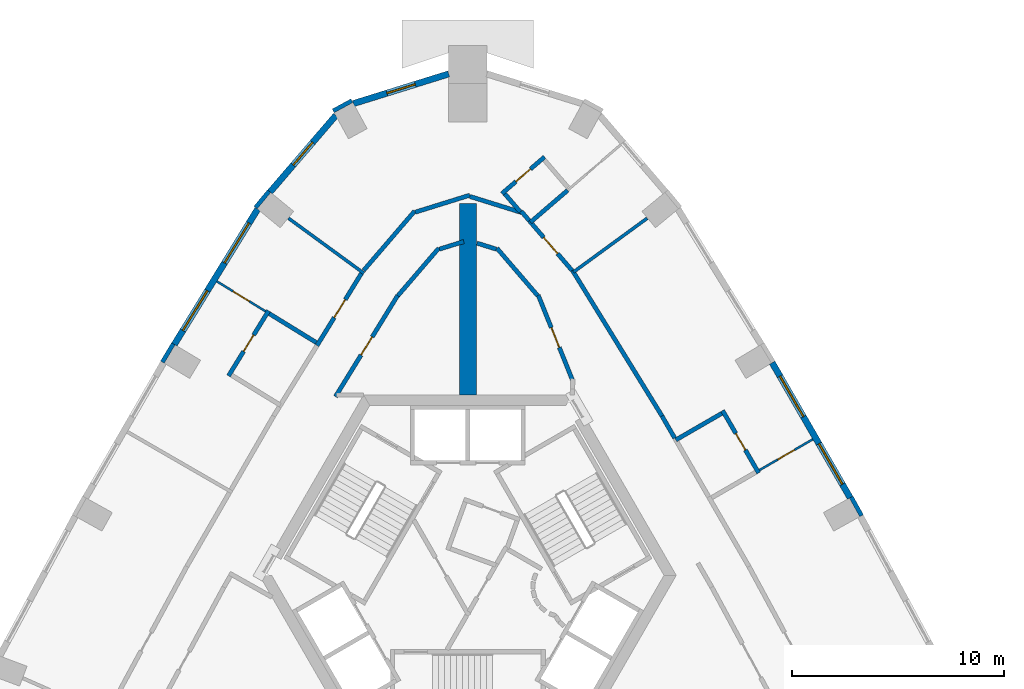
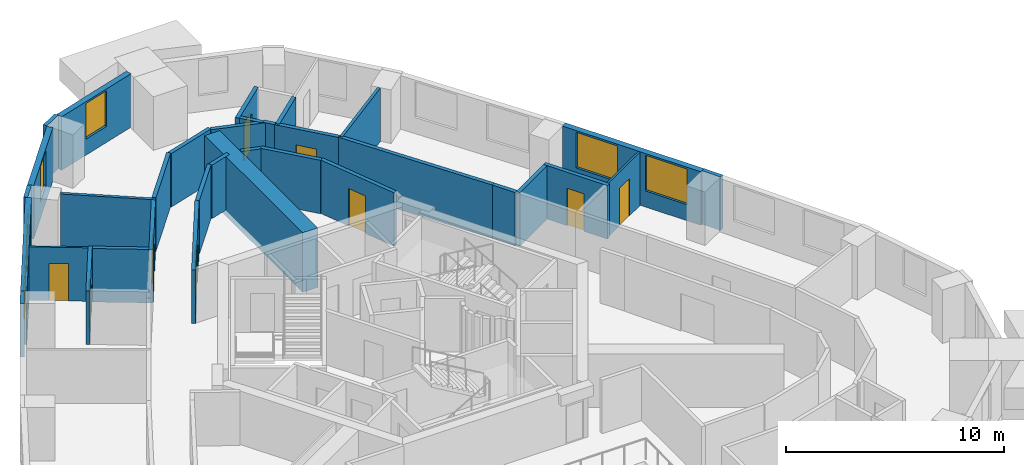
# One storey, part 7 of 10: 34 walls, 9 doors, 6 windows, 15 openings.
"""IFC4 building model written with IfcOpenShell, lengths in metres."""

from ifc_helpers import new_model, si_unit, direction, frame, frame_2d, origin, place, context, subcontext, project, spatial, rectangle, extrude, material, layer, layer_set, type_object, element, fill, save


model = new_model("IFC4")

# Units and contexts
model_context = context("Model", 3, precision=1e-05, world=origin(), true_north=direction((0.0, 1.0)))
body_context = subcontext(model_context, "Body", "Model", "MODEL_VIEW")
ifc_project = project(units=[si_unit("LENGTHUNIT", "METRE"), si_unit("AREAUNIT", "SQUARE_METRE"), si_unit("VOLUMEUNIT", "CUBIC_METRE"), si_unit("PLANEANGLEUNIT", "RADIAN"), si_unit("MASSUNIT", "GRAM", prefix="KILO")], contexts=[model_context])

# Site, building, storey
site_placement = place(None, origin())
site = spatial("IfcSite", under=ifc_project, at=site_placement, CompositionType="ELEMENT")
building_placement = place(site_placement, origin())
building = spatial("IfcBuilding", under=site, at=building_placement, Name="Entoto Arch Interchange Tower", CompositionType="ELEMENT")
storey_placement = place(building_placement, frame((0.0, 0.0, 322.39990234375)))
storey = spatial("IfcBuildingStorey", under=building, at=storey_placement, Name="L76", CompositionType="ELEMENT", Elevation=322.39990234375)

# Wall
ifc_material_1 = material(Name="Concrete C40/50", Category="concrete")
ifc_layer_1 = layer(ifc_material_1, 0.800048828125)
ifc_layer_set_1 = layer_set([ifc_layer_1], Name="Concrete C40/50")
wall_type_1 = type_object("IfcWallType", Name="Buttress wall 800 C40/50", PredefinedType="SHEAR", material=ifc_layer_set_1)
wall_1_placement = place(storey_placement, frame((0.0, 11.0, -0.33984375), z_axis=(0.0, 0.0, 1.0), x_axis=(0.0, 1.0, 0.0)))
element("IfcWall", 1, at=wall_1_placement, inside=storey, type_object=wall_type_1, Name="Buttress wall N L76", PredefinedType="SHEAR", context=body_context, shape_type="SweptSolid", body=[
    extrude(rectangle(XDim=9.0, YDim=0.800048828125, at=frame_2d((4.5, 0.0))), origin(), (0.0, 0.0, 1.0), 3.33984375),
])

# Wall, opening, door
ifc_material_2 = material(Name="Gypsum board partition on steel studs", Category="steel")
ifc_layer_2 = layer(ifc_material_2, 0.10009765625)
ifc_layer_set_2 = layer_set([ifc_layer_2], Name="Gypsum board partition on steel studs")
wall_type_2 = type_object("IfcWallType", Name="PARTITION 100", PredefinedType="PARTITIONING", material=ifc_layer_set_2)
wall_2_placement = place(storey_placement, frame((13.73291015625, 7.4560546875, 0.0), z_axis=(0.0, 0.0, 1.0), x_axis=(0.865990674793, 0.500060147554, 0.0)))
wall_2 = element("IfcWall", 2, at=wall_2_placement, inside=storey, type_object=wall_type_2, Name="wall:L76:p087", PredefinedType="PARTITIONING", context=body_context, shape_type="SweptSolid", body=[
    extrude(rectangle(XDim=2.899658203125, YDim=0.10009765625, at=frame_2d((1.44970703125, 0.0))), origin(), (0.0, 0.0, 1.0), 3.0),
])
opening_1_placement = place(wall_2_placement, frame((1.0, 0.0, 0.0)))
opening_1 = element("IfcOpeningElement", 3, at=opening_1_placement, cuts=wall_2, Name="Opening L76-D05", PredefinedType="OPENING", context=body_context, shape_type="SweptSolid", body=[
    extrude(rectangle(XDim=0.89990234375, YDim=2.10009765625, at=frame_2d((0.449951171875, 1.050048828125))), frame((0.0, 0.06005859375, 0.0), z_axis=(0.0, -1.0, 0.0), x_axis=(1.0, 0.0, 0.0)), (0.0, 0.0, 1.0), 0.1201171875),
])
ifc_material_3 = material(Name="Timber door leaf in Steel S235 frame", Category="steel")
door_type_1 = type_object("IfcDoorType", Name="DOOR DS-09 900x2100", OperationType="SINGLE_SWING_LEFT", PredefinedType="DOOR", material=ifc_material_3)
door_1_placement = place(opening_1_placement, origin())
door_1 = element("IfcDoor", 4, at=door_1_placement, inside=storey, type_object=door_type_1, Name="door:L76:05", OperationType="SINGLE_SWING_LEFT", OverallHeight=2.10009765625, OverallWidth=0.89990234375, PredefinedType="DOOR", context=body_context, shape_type="SweptSolid", body=[
    extrude(rectangle(XDim=0.89990234375, YDim=2.10009765625, at=frame_2d((0.449951171875, 1.050048828125))), frame((0.0, 0.02490234375, 0.0), z_axis=(0.0, -1.0, 0.0), x_axis=(1.0, 0.0, 0.0)), (0.0, 0.0, 1.0), 0.050048828125),
])
fill(opening_1, door_1)

wall_3_placement = place(storey_placement, frame((-9.51904296875, 14.928955078125, 0.0), z_axis=(0.0, 0.0, 1.0), x_axis=(-0.851621054013, 0.524157972715, 0.0)))
wall_3 = element("IfcWall", 5, at=wall_3_placement, inside=storey, type_object=wall_type_2, Name="wall:L76:p098", PredefinedType="PARTITIONING", context=body_context, shape_type="SweptSolid", body=[
    extrude(rectangle(XDim=2.69970703125, YDim=0.10009765625, at=frame_2d((1.349853515625, 0.0))), origin(), (0.0, 0.0, 1.0), 3.0),
])
opening_2_placement = place(wall_3_placement, frame((0.89990234375, 0.0, 0.0)))
opening_2 = element("IfcOpeningElement", 6, at=opening_2_placement, cuts=wall_3, Name="Opening L76-D11", PredefinedType="OPENING", context=body_context, shape_type="SweptSolid", body=[
    extrude(rectangle(XDim=0.89990234375, YDim=2.10009765625, at=frame_2d((0.449951171875, 1.050048828125))), frame((0.0, 0.06005859375, 0.0), z_axis=(0.0, -1.0, 0.0), x_axis=(1.0, 0.0, 0.0)), (0.0, 0.0, 1.0), 0.1201171875),
])
door_2_placement = place(opening_2_placement, origin())
door_2 = element("IfcDoor", 7, at=door_2_placement, inside=storey, type_object=door_type_1, Name="door:L76:11", OperationType="SINGLE_SWING_RIGHT", OverallHeight=2.10009765625, OverallWidth=0.89990234375, PredefinedType="DOOR", context=body_context, shape_type="SweptSolid", body=[
    extrude(rectangle(XDim=0.89990234375, YDim=2.10009765625, at=frame_2d((0.449951171875, 1.050048828125))), frame((0.0, 0.02490234375, 0.0), z_axis=(0.0, -1.0, 0.0), x_axis=(1.0, 0.0, 0.0)), (0.0, 0.0, 1.0), 0.050048828125),
])
fill(opening_2, door_2)

# Walls
ifc_layer_3 = layer(ifc_material_2, 0.14990234375)
ifc_layer_set_3 = layer_set([ifc_layer_3], Name="Gypsum board partition on steel studs")
wall_type_3 = type_object("IfcWallType", Name="PARTITION 150", PredefinedType="PARTITIONING", material=ifc_layer_set_3)
wall_4_placement = place(storey_placement, frame((4.97412109375, 16.781982421875, 0.0), z_axis=(0.0, 0.0, 1.0), x_axis=(0.807621211013, 0.589701602102, 0.0)))
element("IfcWall", 8, at=wall_4_placement, inside=storey, type_object=wall_type_3, Name="wall:L76:p091", PredefinedType="PARTITIONING", context=body_context, shape_type="SweptSolid", body=[
    extrude(rectangle(XDim=4.29541015625, YDim=0.14990234375, at=frame_2d((2.147705078125, 0.0))), origin(), (0.0, 0.0, 1.0), 3.0),
])
wall_5_placement = place(storey_placement, frame((-4.89306640625, 16.722900390625, 0.0), z_axis=(0.0, 0.0, 1.0), x_axis=(-0.807632235509, 0.589686503294, 0.0)))
element("IfcWall", 9, at=wall_5_placement, inside=storey, type_object=wall_type_3, Name="wall:L76:p097", PredefinedType="PARTITIONING", context=body_context, shape_type="SweptSolid", body=[
    extrude(rectangle(XDim=4.3955078125, YDim=0.14990234375, at=frame_2d((2.19775390625, 0.0))), origin(), (0.0, 0.0, 1.0), 3.0),
])

# Wall, opening, door
ifc_layer_4 = layer(ifc_material_2, 0.199951171875)
ifc_layer_set_4 = layer_set([ifc_layer_4], Name="Gypsum board partition on steel studs")
wall_type_4 = type_object("IfcWallType", Name="PARTITION 200", PredefinedType="PARTITIONING", material=ifc_layer_set_4)
wall_6_placement = place(storey_placement, frame((4.923095703125, 11.70703125, 0.0), z_axis=(0.0, 0.0, 1.0), x_axis=(-0.374122865642, 0.927379146522, 0.0)))
wall_6 = element("IfcWall", 10, at=wall_6_placement, inside=storey, type_object=wall_type_4, Name="wall:L76:p007", PredefinedType="PARTITIONING", context=body_context, shape_type="SweptSolid", body=[
    extrude(rectangle(XDim=4.2958984375, YDim=0.199951171875, at=frame_2d((2.14794921875, 0.0))), origin(), (0.0, 0.0, 1.0), 3.0),
])
opening_3_placement = place(wall_6_placement, frame((1.64794921875, 0.0, 0.0)))
opening_3 = element("IfcOpeningElement", 11, at=opening_3_placement, cuts=wall_6, Name="Opening L76-D20", PredefinedType="OPENING", context=body_context, shape_type="SweptSolid", body=[
    extrude(rectangle(XDim=1.0, YDim=2.10009765625, at=frame_2d((0.5, 1.050048828125))), frame((0.0, 0.10986328125, 0.0), z_axis=(0.0, -1.0, 0.0), x_axis=(1.0, 0.0, 0.0)), (0.0, 0.0, 1.0), 0.219970703125),
])
door_type_2 = type_object("IfcDoorType", Name="DOOR DS-10 1000x2100", OperationType="SINGLE_SWING_LEFT", PredefinedType="DOOR", material=ifc_material_3)
door_3_placement = place(opening_3_placement, origin())
door_3 = element("IfcDoor", 12, at=door_3_placement, inside=storey, type_object=door_type_2, Name="door:L76:20", OperationType="SINGLE_SWING_LEFT", OverallHeight=2.10009765625, OverallWidth=1.0, PredefinedType="DOOR", context=body_context, shape_type="SweptSolid", body=[
    extrude(rectangle(XDim=1.0, YDim=2.10009765625, at=frame_2d((0.5, 1.050048828125))), frame((0.0, 0.02490234375, 0.0), z_axis=(0.0, -1.0, 0.0), x_axis=(1.0, 0.0, 0.0)), (0.0, 0.0, 1.0), 0.050048828125),
])
fill(opening_3, door_3)

# Walls
wall_7_placement = place(storey_placement, frame((3.2890625, 15.674072265625, 0.0), z_axis=(0.0, 0.0, 1.0), x_axis=(-0.651848676423, 0.758349064116, 0.0)))
element("IfcWall", 13, at=wall_7_placement, inside=storey, type_object=wall_type_4, Name="wall:L76:p008", PredefinedType="PARTITIONING", context=body_context, shape_type="SweptSolid", body=[
    extrude(rectangle(XDim=2.94580078125, YDim=0.199951171875, at=frame_2d((1.472900390625, 0.0))), origin(), (0.0, 0.0, 1.0), 3.0),
])
wall_8_placement = place(storey_placement, frame((1.339111328125, 17.862060546875, 0.0), z_axis=(0.0, 0.0, 1.0), x_axis=(-0.954826063502, 0.297165254457, 0.0)))
element("IfcWall", 14, at=wall_8_placement, inside=storey, type_object=wall_type_4, Name="wall:L76:p009", PredefinedType="PARTITIONING", context=body_context, shape_type="SweptSolid", body=[
    extrude(rectangle(XDim=0.9521484375, YDim=0.199951171875, at=frame_2d((0.47607421875, 0.0))), origin(), (0.0, 0.0, 1.0), 3.0),
])
wall_9_placement = place(storey_placement, frame((-0.18896484375, 18.219970703125, 0.0), z_axis=(0.0, 0.0, 1.0), x_axis=(-0.954836332451, -0.297132257137, 0.0)))
element("IfcWall", 15, at=wall_9_placement, inside=storey, type_object=wall_type_4, Name="wall:L76:p010", PredefinedType="PARTITIONING", context=body_context, shape_type="SweptSolid", body=[
    extrude(rectangle(XDim=1.20458984375, YDim=0.199951171875, at=frame_2d((0.602294921875, 0.0))), origin(), (0.0, 0.0, 1.0), 3.0),
])
wall_10_placement = place(storey_placement, frame((-1.368896484375, 17.907958984375, 0.0), z_axis=(0.0, 0.0, 1.0), x_axis=(-0.651848676423, -0.758349064116, 0.0)))
element("IfcWall", 16, at=wall_10_placement, inside=storey, type_object=wall_type_4, Name="wall:L76:p011", PredefinedType="PARTITIONING", context=body_context, shape_type="SweptSolid", body=[
    extrude(rectangle(XDim=2.94580078125, YDim=0.199951171875, at=frame_2d((1.472900390625, 0.0))), origin(), (0.0, 0.0, 1.0), 3.0),
])

# Wall, opening, door
wall_11_placement = place(storey_placement, frame((-3.301025390625, 15.68408203125, 0.0), z_axis=(0.0, 0.0, 1.0), x_axis=(-0.524004979532, -0.851715199715, 0.0)))
wall_11 = element("IfcWall", 17, at=wall_11_placement, inside=storey, type_object=wall_type_4, Name="wall:L76:p012", PredefinedType="PARTITIONING", context=body_context, shape_type="SweptSolid", body=[
    extrude(rectangle(XDim=5.599365234375, YDim=0.199951171875, at=frame_2d((2.7998046875, 0.0))), origin(), (0.0, 0.0, 1.0), 3.0),
])
opening_4_placement = place(wall_11_placement, frame((2.300048828125, 0.0, 0.0)))
opening_4 = element("IfcOpeningElement", 18, at=opening_4_placement, cuts=wall_11, Name="Opening L76-D21", PredefinedType="OPENING", context=body_context, shape_type="SweptSolid", body=[
    extrude(rectangle(XDim=1.0, YDim=2.10009765625, at=frame_2d((0.5, 1.050048828125))), frame((0.0, 0.10986328125, 0.0), z_axis=(0.0, -1.0, 0.0), x_axis=(1.0, 0.0, 0.0)), (0.0, 0.0, 1.0), 0.219970703125),
])
door_4_placement = place(opening_4_placement, origin())
door_4 = element("IfcDoor", 19, at=door_4_placement, inside=storey, type_object=door_type_2, Name="door:L76:21", OperationType="SINGLE_SWING_LEFT", OverallHeight=2.10009765625, OverallWidth=1.0, PredefinedType="DOOR", context=body_context, shape_type="SweptSolid", body=[
    extrude(rectangle(XDim=1.0, YDim=2.10009765625, at=frame_2d((0.5, 1.050048828125))), frame((0.0, 0.02490234375, 0.0), z_axis=(0.0, -1.0, 0.0), x_axis=(1.0, 0.0, 0.0)), (0.0, 0.0, 1.0), 0.050048828125),
])
fill(opening_4, door_4)

# Walls
wall_12_placement = place(storey_placement, frame((4.922119140625, 16.866943359375, 0.0), z_axis=(0.0, 0.0, 1.0), x_axis=(0.523943621984, -0.851752945978, 0.0)))
element("IfcWall", 20, at=wall_12_placement, inside=storey, type_object=wall_type_4, Name="wall:L76:p037", PredefinedType="PARTITIONING", context=body_context, shape_type="SweptSolid", body=[
    extrude(rectangle(XDim=8.059814453125, YDim=0.199951171875, at=frame_2d((4.02978515625, 0.0))), origin(), (0.0, 0.0, 1.0), 3.0),
])
wall_13_placement = place(storey_placement, frame((9.14501953125, 10.001953125, 0.0), z_axis=(0.0, 0.0, 1.0), x_axis=(0.499798886082, -0.866141485827, 0.0)))
element("IfcWall", 21, at=wall_13_placement, inside=storey, type_object=wall_type_4, Name="wall:L76:p038", PredefinedType="PARTITIONING", context=body_context, shape_type="SweptSolid", body=[
    extrude(rectangle(XDim=1.1982421875, YDim=0.199951171875, at=frame_2d((0.59912109375, 0.0))), origin(), (0.0, 0.0, 1.0), 3.0),
])

# Wall, opening, door
wall_14_placement = place(storey_placement, frame((2.888916015625, 19.208984375, 0.0), z_axis=(0.0, 0.0, 1.0), x_axis=(0.651686040861, -0.758488829283, 0.0)))
wall_14 = element("IfcWall", 22, at=wall_14_placement, inside=storey, type_object=wall_type_4, Name="wall:L76:p040", PredefinedType="PARTITIONING", context=body_context, shape_type="SweptSolid", body=[
    extrude(rectangle(XDim=3.099609375, YDim=0.199951171875, at=frame_2d((1.5498046875, 0.0))), origin(), (0.0, 0.0, 1.0), 3.0),
])
opening_5_placement = place(wall_14_placement, frame((1.050048828125, 0.0, 0.0)))
opening_5 = element("IfcOpeningElement", 23, at=opening_5_placement, cuts=wall_14, Name="Opening L76-D07", PredefinedType="OPENING", context=body_context, shape_type="SweptSolid", body=[
    extrude(rectangle(XDim=1.0, YDim=2.10009765625, at=frame_2d((0.5, 1.050048828125))), frame((0.0, 0.10986328125, 0.0), z_axis=(0.0, -1.0, 0.0), x_axis=(1.0, 0.0, 0.0)), (0.0, 0.0, 1.0), 0.219970703125),
])
ifc_material_4 = material(Name="Fire-rated Steel S235 door and frame", Category="steel")
door_type_3 = type_object("IfcDoorType", Name="DOOR FD-10 1000x2100", OperationType="SINGLE_SWING_LEFT", PredefinedType="DOOR", material=ifc_material_4)
door_5_placement = place(opening_5_placement, origin())
door_5 = element("IfcDoor", 24, at=door_5_placement, inside=storey, type_object=door_type_3, Name="door:L76:07", OperationType="SINGLE_SWING_LEFT", OverallHeight=2.10009765625, OverallWidth=1.0, PredefinedType="DOOR", context=body_context, shape_type="SweptSolid", body=[
    extrude(rectangle(XDim=1.0, YDim=2.10009765625, at=frame_2d((0.5, 1.050048828125))), frame((0.0, 0.02490234375, 0.0), z_axis=(0.0, -1.0, 0.0), x_axis=(1.0, 0.0, 0.0)), (0.0, 0.0, 1.0), 0.050048828125),
])
fill(opening_5, door_5)

# Walls
wall_15_placement = place(storey_placement, frame((-4.908935546875, 16.85791015625, 0.0), z_axis=(0.0, 0.0, 1.0), x_axis=(0.651785835936, 0.758403074937, 0.0)))
element("IfcWall", 25, at=wall_15_placement, inside=storey, type_object=wall_type_4, Name="wall:L76:p041", PredefinedType="PARTITIONING", context=body_context, shape_type="SweptSolid", body=[
    extrude(rectangle(XDim=3.677490234375, YDim=0.199951171875, at=frame_2d((1.8388671875, 0.0))), origin(), (0.0, 0.0, 1.0), 3.0),
])
wall_16_placement = place(storey_placement, frame((-2.48193359375, 19.60107421875, 0.0), z_axis=(0.0, 0.0, 1.0), x_axis=(0.95482540871, 0.297167358372, 0.0)))
element("IfcWall", 26, at=wall_16_placement, inside=storey, type_object=wall_type_4, Name="wall:L76:p042", PredefinedType="PARTITIONING", context=body_context, shape_type="SweptSolid", body=[
    extrude(rectangle(XDim=2.69873046875, YDim=0.199951171875, at=frame_2d((1.349365234375, 0.0))), origin(), (0.0, 0.0, 1.0), 3.0),
])
wall_17_placement = place(storey_placement, frame((0.094970703125, 20.343994140625, 0.0), z_axis=(0.0, 0.0, 1.0), x_axis=(0.954837867825, -0.297127323158, 0.0)))
element("IfcWall", 27, at=wall_17_placement, inside=storey, type_object=wall_type_4, Name="wall:L76:p043", PredefinedType="PARTITIONING", context=body_context, shape_type="SweptSolid", body=[
    extrude(rectangle(XDim=2.604736328125, YDim=0.199951171875, at=frame_2d((1.30224609375, 0.0))), origin(), (0.0, 0.0, 1.0), 3.0),
])
wall_18_placement = place(storey_placement, frame((2.511962890625, 19.64697265625, 0.0), z_axis=(0.0, 0.0, 1.0), x_axis=(0.652320947019, -0.757942862016, 0.0)))
element("IfcWall", 28, at=wall_18_placement, inside=storey, type_object=wall_type_4, Name="wall:L76:p044", PredefinedType="PARTITIONING", context=body_context, shape_type="SweptSolid", body=[
    extrude(rectangle(XDim=0.577880859375, YDim=0.199951171875, at=frame_2d((0.2890625, 0.0))), origin(), (0.0, 0.0, 1.0), 3.0),
])

# Wall, opening, door
wall_19_placement = place(storey_placement, frame((-7.10107421875, 13.323974609375, 0.0), z_axis=(0.0, 0.0, 1.0), x_axis=(0.52395735307, 0.851744499344, 0.0)))
wall_19 = element("IfcWall", 29, at=wall_19_placement, inside=storey, type_object=wall_type_4, Name="wall:L76:p045", PredefinedType="PARTITIONING", context=body_context, shape_type="SweptSolid", body=[
    extrude(rectangle(XDim=4.08447265625, YDim=0.199951171875, at=frame_2d((2.042236328125, 0.0))), origin(), (0.0, 0.0, 1.0), 3.0),
])
opening_6_placement = place(wall_19_placement, frame((1.5419921875, 0.0, 0.0)))
opening_6 = element("IfcOpeningElement", 30, at=opening_6_placement, cuts=wall_19, Name="Opening L76-D10", PredefinedType="OPENING", context=body_context, shape_type="SweptSolid", body=[
    extrude(rectangle(XDim=1.0, YDim=2.10009765625, at=frame_2d((0.5, 1.050048828125))), frame((0.0, 0.10986328125, 0.0), z_axis=(0.0, -1.0, 0.0), x_axis=(1.0, 0.0, 0.0)), (0.0, 0.0, 1.0), 0.219970703125),
])
door_6_placement = place(opening_6_placement, origin())
door_6 = element("IfcDoor", 31, at=door_6_placement, inside=storey, type_object=door_type_3, Name="door:L76:10", OperationType="SINGLE_SWING_LEFT", OverallHeight=2.10009765625, OverallWidth=1.0, PredefinedType="DOOR", context=body_context, shape_type="SweptSolid", body=[
    extrude(rectangle(XDim=1.0, YDim=2.10009765625, at=frame_2d((0.5, 1.050048828125))), frame((0.0, 0.02490234375, 0.0), z_axis=(0.0, -1.0, 0.0), x_axis=(1.0, 0.0, 0.0)), (0.0, 0.0, 1.0), 0.050048828125),
])
fill(opening_6, door_6)

wall_20_placement = place(storey_placement, frame((13.696044921875, 7.320068359375, 0.0), z_axis=(0.0, 0.0, 1.0), x_axis=(-0.500070584245, 0.865984648116, 0.0)))
wall_20 = element("IfcWall", 32, at=wall_20_placement, inside=storey, type_object=wall_type_4, Name="wall:L76:p089", PredefinedType="PARTITIONING", context=body_context, shape_type="SweptSolid", body=[
    extrude(rectangle(XDim=3.3994140625, YDim=0.199951171875, at=frame_2d((1.69970703125, 0.0))), origin(), (0.0, 0.0, 1.0), 3.0),
])
opening_7_placement = place(wall_20_placement, frame((1.25, 0.0, 0.0)))
opening_7 = element("IfcOpeningElement", 33, at=opening_7_placement, cuts=wall_20, Name="Opening L76-D06", PredefinedType="OPENING", context=body_context, shape_type="SweptSolid", body=[
    extrude(rectangle(XDim=0.89990234375, YDim=2.10009765625, at=frame_2d((0.449951171875, 1.050048828125))), frame((0.0, 0.10986328125, 0.0), z_axis=(0.0, -1.0, 0.0), x_axis=(1.0, 0.0, 0.0)), (0.0, 0.0, 1.0), 0.219970703125),
])
door_7_placement = place(opening_7_placement, origin())
door_7 = element("IfcDoor", 34, at=door_7_placement, inside=storey, type_object=door_type_1, Name="door:L76:06", OperationType="SINGLE_SWING_LEFT", OverallHeight=2.10009765625, OverallWidth=0.89990234375, PredefinedType="DOOR", context=body_context, shape_type="SweptSolid", body=[
    extrude(rectangle(XDim=0.89990234375, YDim=2.10009765625, at=frame_2d((0.449951171875, 1.050048828125))), frame((0.0, 0.02490234375, 0.0), z_axis=(0.0, -1.0, 0.0), x_axis=(1.0, 0.0, 0.0)), (0.0, 0.0, 1.0), 0.050048828125),
])
fill(opening_7, door_7)

# Walls
wall_21_placement = place(storey_placement, frame((11.958984375, 10.126953125, 0.0), z_axis=(0.0, 0.0, 1.0), x_axis=(-0.866022959057, -0.500004234368, 0.0)))
element("IfcWall", 35, at=wall_21_placement, inside=storey, type_object=wall_type_4, Name="wall:L76:p090", PredefinedType="PARTITIONING", context=body_context, shape_type="SweptSolid", body=[
    extrude(rectangle(XDim=2.5, YDim=0.199951171875, at=frame_2d((1.25, 0.0))), origin(), (0.0, 0.0, 1.0), 3.0),
])
wall_22_placement = place(storey_placement, frame((2.9541015625, 19.133056640625, 0.0), z_axis=(0.0, 0.0, 1.0), x_axis=(0.758341579104, 0.65185738425, 0.0)))
element("IfcWall", 36, at=wall_22_placement, inside=storey, type_object=wall_type_4, Name="wall:L76:p093", PredefinedType="PARTITIONING", context=body_context, shape_type="SweptSolid", body=[
    extrude(rectangle(XDim=2.299560546875, YDim=0.199951171875, at=frame_2d((1.14990234375, 0.0))), origin(), (0.0, 0.0, 1.0), 3.0),
])

# Wall, opening, door
wall_23_placement = place(storey_placement, frame((3.611083984375, 22.202880859375, 0.0), z_axis=(0.0, 0.0, 1.0), x_axis=(-0.75836467248, -0.651830517493, 0.0)))
wall_23 = element("IfcWall", 37, at=wall_23_placement, inside=storey, type_object=wall_type_4, Name="wall:L76:p095", PredefinedType="PARTITIONING", context=body_context, shape_type="SweptSolid", body=[
    extrude(rectangle(XDim=2.649169921875, YDim=0.199951171875, at=frame_2d((1.32470703125, 0.0))), origin(), (0.0, 0.0, 1.0), 3.0),
])
opening_8_placement = place(wall_23_placement, frame((0.875, 0.0, 0.0)))
opening_8 = element("IfcOpeningElement", 38, at=opening_8_placement, cuts=wall_23, Name="Opening L76-D09", PredefinedType="OPENING", context=body_context, shape_type="SweptSolid", body=[
    extrude(rectangle(XDim=0.89990234375, YDim=2.10009765625, at=frame_2d((0.449951171875, 1.050048828125))), frame((0.0, 0.10986328125, 0.0), z_axis=(0.0, -1.0, 0.0), x_axis=(1.0, 0.0, 0.0)), (0.0, 0.0, 1.0), 0.219970703125),
])
door_8_placement = place(opening_8_placement, origin())
door_8 = element("IfcDoor", 39, at=door_8_placement, inside=storey, type_object=door_type_1, Name="door:L76:09", OperationType="SINGLE_SWING_LEFT", OverallHeight=2.10009765625, OverallWidth=0.89990234375, PredefinedType="DOOR", context=body_context, shape_type="SweptSolid", body=[
    extrude(rectangle(XDim=0.89990234375, YDim=2.10009765625, at=frame_2d((0.449951171875, 1.050048828125))), frame((0.0, 0.02490234375, 0.0), z_axis=(0.0, -1.0, 0.0), x_axis=(1.0, 0.0, 0.0)), (0.0, 0.0, 1.0), 0.050048828125),
])
fill(opening_8, door_8)

# Walls
wall_24_placement = place(storey_placement, frame((1.742919921875, 20.465087890625, 0.0), z_axis=(0.0, 0.0, 1.0), x_axis=(0.65174176003, -0.758440952371, 0.0)))
element("IfcWall", 40, at=wall_24_placement, inside=storey, type_object=wall_type_4, Name="wall:L76:p096", PredefinedType="PARTITIONING", context=body_context, shape_type="SweptSolid", body=[
    extrude(rectangle(XDim=1.141845703125, YDim=0.199951171875, at=frame_2d((0.57080078125, 0.0))), origin(), (0.0, 0.0, 1.0), 3.0),
])
wall_25_placement = place(storey_placement, frame((-7.134033203125, 13.4619140625, 0.0), z_axis=(0.0, 0.0, 1.0), x_axis=(-0.851713135301, 0.524008335007, 0.0)))
element("IfcWall", 41, at=wall_25_placement, inside=storey, type_object=wall_type_4, Name="wall:L76:p099", PredefinedType="PARTITIONING", context=body_context, shape_type="SweptSolid", body=[
    extrude(rectangle(XDim=2.599365234375, YDim=0.199951171875, at=frame_2d((1.2998046875, 0.0))), origin(), (0.0, 0.0, 1.0), 3.0),
])

# Wall, opening, door
wall_26_placement = place(storey_placement, frame((-9.381103515625, 14.9619140625, 0.0), z_axis=(0.0, 0.0, 1.0), x_axis=(-0.524146612914, -0.851628045669, 0.0)))
wall_26 = element("IfcWall", 42, at=wall_26_placement, inside=storey, type_object=wall_type_4, Name="wall:L76:p100", PredefinedType="PARTITIONING", context=body_context, shape_type="SweptSolid", body=[
    extrude(rectangle(XDim=3.60009765625, YDim=0.199951171875, at=frame_2d((1.800048828125, 0.0))), origin(), (0.0, 0.0, 1.0), 3.0),
])
opening_9_placement = place(wall_26_placement, frame((1.35009765625, 0.0, 0.0)))
opening_9 = element("IfcOpeningElement", 43, at=opening_9_placement, cuts=wall_26, Name="Opening L76-D12", PredefinedType="OPENING", context=body_context, shape_type="SweptSolid", body=[
    extrude(rectangle(XDim=0.89990234375, YDim=2.10009765625, at=frame_2d((0.449951171875, 1.050048828125))), frame((0.0, 0.10986328125, 0.0), z_axis=(0.0, -1.0, 0.0), x_axis=(1.0, 0.0, 0.0)), (0.0, 0.0, 1.0), 0.219970703125),
])
door_9_placement = place(opening_9_placement, origin())
door_9 = element("IfcDoor", 44, at=door_9_placement, inside=storey, type_object=door_type_1, Name="door:L76:12", OperationType="SINGLE_SWING_RIGHT", OverallHeight=2.10009765625, OverallWidth=0.89990234375, PredefinedType="DOOR", context=body_context, shape_type="SweptSolid", body=[
    extrude(rectangle(XDim=0.89990234375, YDim=2.10009765625, at=frame_2d((0.449951171875, 1.050048828125))), frame((0.0, 0.02490234375, 0.0), z_axis=(0.0, -1.0, 0.0), x_axis=(1.0, 0.0, 0.0)), (0.0, 0.0, 1.0), 0.050048828125),
])
fill(opening_9, door_9)

# Wall, openings, windows
ifc_material_5 = material(Name="Welded tuff (ignimbrite) cladding, warm buff", Category="masonry")
ifc_layer_5 = layer(ifc_material_5, 0.300048828125)
ifc_layer_set_5 = layer_set([ifc_layer_5], Name="Welded tuff (ignimbrite) cladding, warm buff")
wall_type_5 = type_object("IfcWallType", Name="STONE INFILL WALL 300", PredefinedType="STANDARD", material=ifc_layer_set_5)
wall_27_placement = place(storey_placement, frame((18.0048828125, 6.156005859375, 0.0), z_axis=(0.0, 0.0, 1.0), x_axis=(-0.499958474759, 0.866049377066, 0.0)))
wall_27 = element("IfcWall", 45, at=wall_27_placement, inside=storey, type_object=wall_type_5, Name="Facade wall NE-02 L76", PredefinedType="STANDARD", context=body_context, shape_type="SweptSolid", body=[
    extrude(rectangle(XDim=7.34228515625, YDim=0.300048828125, at=frame_2d((3.671142578125, 0.0))), origin(), (0.0, 0.0, 1.0), 3.0),
])
opening_10_placement = place(wall_27_placement, frame((0.736083984375, 0.0, 0.89990234375)))
opening_10 = element("IfcOpeningElement", 46, at=opening_10_placement, cuts=wall_27, Name="Opening WH-A", PredefinedType="OPENING", context=body_context, shape_type="SweptSolid", body=[
    extrude(rectangle(XDim=2.199951171875, YDim=2.0, at=frame_2d((1.10009765625, 1.0))), frame((0.0, 0.16015625, 0.0), z_axis=(0.0, -1.0, 0.0), x_axis=(1.0, 0.0, 0.0)), (0.0, 0.0, 1.0), 0.320068359375),
])
opening_11_placement = place(wall_27_placement, frame((4.406982421875, 0.0, 0.89990234375)))
opening_11 = element("IfcOpeningElement", 47, at=opening_11_placement, cuts=wall_27, Name="Opening WH-A", PredefinedType="OPENING", context=body_context, shape_type="SweptSolid", body=[
    extrude(rectangle(XDim=2.199951171875, YDim=2.0, at=frame_2d((1.10009765625, 1.0))), frame((0.0, 0.16015625, 0.0), z_axis=(0.0, -1.0, 0.0), x_axis=(1.0, 0.0, 0.0)), (0.0, 0.0, 1.0), 0.320068359375),
])
ifc_material_6 = material(Name="Clear glass, low-e double glazed", Category="glass")
window_type_1 = type_object("IfcWindowType", Name="WINDOW WH-A 2200x2000", PartitioningType="DOUBLE_PANEL_VERTICAL", PredefinedType="WINDOW", material=ifc_material_6)
window_1_placement = place(opening_10_placement, origin())
window_1 = element("IfcWindow", 48, at=window_1_placement, inside=storey, type_object=window_type_1, Name="Window WH-A NE-02 L76", OverallHeight=2.0, OverallWidth=2.199951171875, PartitioningType="SINGLE_PANEL", PredefinedType="WINDOW", context=body_context, shape_type="SweptSolid", body=[
    extrude(rectangle(XDim=2.199951171875, YDim=2.0, at=frame_2d((1.10009765625, 1.0))), frame((0.0, 0.030029296875, 0.0), z_axis=(0.0, -1.0, 0.0), x_axis=(1.0, 0.0, 0.0)), (0.0, 0.0, 1.0), 0.06005859375),
])
fill(opening_10, window_1)
window_2_placement = place(opening_11_placement, origin())
window_2 = element("IfcWindow", 49, at=window_2_placement, inside=storey, type_object=window_type_1, Name="Window WH-A NE-02 L76", OverallHeight=2.0, OverallWidth=2.199951171875, PartitioningType="SINGLE_PANEL", PredefinedType="WINDOW", context=body_context, shape_type="SweptSolid", body=[
    extrude(rectangle(XDim=2.199951171875, YDim=2.0, at=frame_2d((1.10009765625, 1.0))), frame((0.0, 0.030029296875, 0.0), z_axis=(0.0, -1.0, 0.0), x_axis=(1.0, 0.0, 0.0)), (0.0, 0.0, 1.0), 0.06005859375),
])
fill(opening_11, window_2)

# Wall, opening, window
wall_28_placement = place(storey_placement, frame((-0.89892578125, 26.115966796875, 0.0), z_axis=(0.0, 0.0, 1.0), x_axis=(-0.954792612552, -0.297272714886, 0.0)))
wall_28 = element("IfcWall", 50, at=wall_28_placement, inside=storey, type_object=wall_type_5, Name="Facade wall N-03 L76", PredefinedType="STANDARD", context=body_context, shape_type="SweptSolid", body=[
    extrude(rectangle(XDim=4.70263671875, YDim=0.300048828125, at=frame_2d((2.351318359375, 0.0))), origin(), (0.0, 0.0, 1.0), 3.0),
])
opening_12_placement = place(wall_28_placement, frame((1.65087890625, 0.0, 0.89990234375)))
opening_12 = element("IfcOpeningElement", 51, at=opening_12_placement, cuts=wall_28, Name="Opening WH-B", PredefinedType="OPENING", context=body_context, shape_type="SweptSolid", body=[
    extrude(rectangle(XDim=1.39990234375, YDim=2.0, at=frame_2d((0.699951171875, 1.0))), frame((0.0, 0.16015625, 0.0), z_axis=(0.0, -1.0, 0.0), x_axis=(1.0, 0.0, 0.0)), (0.0, 0.0, 1.0), 0.320068359375),
])
window_type_2 = type_object("IfcWindowType", Name="WINDOW WH-B 1400x2000", PartitioningType="DOUBLE_PANEL_VERTICAL", PredefinedType="WINDOW", material=ifc_material_6)
window_3_placement = place(opening_12_placement, origin())
window_3 = element("IfcWindow", 52, at=window_3_placement, inside=storey, type_object=window_type_2, Name="Window WH-B N-03 L76", OverallHeight=2.0, OverallWidth=1.39990234375, PartitioningType="SINGLE_PANEL", PredefinedType="WINDOW", context=body_context, shape_type="SweptSolid", body=[
    extrude(rectangle(XDim=1.39990234375, YDim=2.0, at=frame_2d((0.699951171875, 1.0))), frame((0.0, 0.030029296875, 0.0), z_axis=(0.0, -1.0, 0.0), x_axis=(1.0, 0.0, 0.0)), (0.0, 0.0, 1.0), 0.06005859375),
])
fill(opening_12, window_3)

wall_29_placement = place(storey_placement, frame((-6.218994140625, 24.156005859375, 0.0), z_axis=(0.0, 0.0, 1.0), x_axis=(-0.651684474108, -0.758490175419, 0.0)))
wall_29 = element("IfcWall", 53, at=wall_29_placement, inside=storey, type_object=wall_type_5, Name="Facade wall N-04 L76", PredefinedType="STANDARD", context=body_context, shape_type="SweptSolid", body=[
    extrude(rectangle(XDim=4.747802734375, YDim=0.300048828125, at=frame_2d((2.3740234375, 0.0))), origin(), (0.0, 0.0, 1.0), 3.0),
])
opening_13_placement = place(wall_29_placement, frame((1.674072265625, 0.0, 0.89990234375)))
opening_13 = element("IfcOpeningElement", 54, at=opening_13_placement, cuts=wall_29, Name="Opening WH-B", PredefinedType="OPENING", context=body_context, shape_type="SweptSolid", body=[
    extrude(rectangle(XDim=1.39990234375, YDim=2.0, at=frame_2d((0.699951171875, 1.0))), frame((0.0, 0.16015625, 0.0), z_axis=(0.0, -1.0, 0.0), x_axis=(1.0, 0.0, 0.0)), (0.0, 0.0, 1.0), 0.320068359375),
])
window_4_placement = place(opening_13_placement, origin())
window_4 = element("IfcWindow", 55, at=window_4_placement, inside=storey, type_object=window_type_2, Name="Window WH-B N-04 L76", OverallHeight=2.0, OverallWidth=1.39990234375, PartitioningType="SINGLE_PANEL", PredefinedType="WINDOW", context=body_context, shape_type="SweptSolid", body=[
    extrude(rectangle(XDim=1.39990234375, YDim=2.0, at=frame_2d((0.699951171875, 1.0))), frame((0.0, 0.030029296875, 0.0), z_axis=(0.0, -1.0, 0.0), x_axis=(1.0, 0.0, 0.0)), (0.0, 0.0, 1.0), 0.06005859375),
])
fill(opening_13, window_4)

# Wall, openings, windows
wall_30_placement = place(storey_placement, frame((-9.90087890625, 19.7470703125, 0.0), z_axis=(0.0, 0.0, 1.0), x_axis=(-0.524004608874, -0.851715427757, 0.0)))
wall_30 = element("IfcWall", 56, at=wall_30_placement, inside=storey, type_object=wall_type_5, Name="Facade wall NW-01 L76", PredefinedType="STANDARD", context=body_context, shape_type="SweptSolid", body=[
    extrude(rectangle(XDim=7.48486328125, YDim=0.300048828125, at=frame_2d((3.742431640625, 0.0))), origin(), (0.0, 0.0, 1.0), 3.0),
])
opening_14_placement = place(wall_30_placement, frame((0.77099609375, 0.0, 0.89990234375)))
opening_14 = element("IfcOpeningElement", 57, at=opening_14_placement, cuts=wall_30, Name="Opening WH-A", PredefinedType="OPENING", context=body_context, shape_type="SweptSolid", body=[
    extrude(rectangle(XDim=2.199951171875, YDim=2.0, at=frame_2d((1.10009765625, 1.0))), frame((0.0, 0.16015625, 0.0), z_axis=(0.0, -1.0, 0.0), x_axis=(1.0, 0.0, 0.0)), (0.0, 0.0, 1.0), 0.320068359375),
])
opening_15_placement = place(wall_30_placement, frame((4.513916015625, 0.0, 0.89990234375)))
opening_15 = element("IfcOpeningElement", 58, at=opening_15_placement, cuts=wall_30, Name="Opening WH-A", PredefinedType="OPENING", context=body_context, shape_type="SweptSolid", body=[
    extrude(rectangle(XDim=2.199951171875, YDim=2.0, at=frame_2d((1.10009765625, 1.0))), frame((0.0, 0.16015625, 0.0), z_axis=(0.0, -1.0, 0.0), x_axis=(1.0, 0.0, 0.0)), (0.0, 0.0, 1.0), 0.320068359375),
])
window_5_placement = place(opening_14_placement, origin())
window_5 = element("IfcWindow", 59, at=window_5_placement, inside=storey, type_object=window_type_1, Name="Window WH-A NW-01 L76", OverallHeight=2.0, OverallWidth=2.199951171875, PartitioningType="SINGLE_PANEL", PredefinedType="WINDOW", context=body_context, shape_type="SweptSolid", body=[
    extrude(rectangle(XDim=2.199951171875, YDim=2.0, at=frame_2d((1.10009765625, 1.0))), frame((0.0, 0.030029296875, 0.0), z_axis=(0.0, -1.0, 0.0), x_axis=(1.0, 0.0, 0.0)), (0.0, 0.0, 1.0), 0.06005859375),
])
fill(opening_14, window_5)
window_6_placement = place(opening_15_placement, origin())
window_6 = element("IfcWindow", 60, at=window_6_placement, inside=storey, type_object=window_type_1, Name="Window WH-A NW-01 L76", OverallHeight=2.0, OverallWidth=2.199951171875, PartitioningType="SINGLE_PANEL", PredefinedType="WINDOW", context=body_context, shape_type="SweptSolid", body=[
    extrude(rectangle(XDim=2.199951171875, YDim=2.0, at=frame_2d((1.10009765625, 1.0))), frame((0.0, 0.030029296875, 0.0), z_axis=(0.0, -1.0, 0.0), x_axis=(1.0, 0.0, 0.0)), (0.0, 0.0, 1.0), 0.06005859375),
])
fill(opening_15, window_6)

# Walls
ifc_layer_6 = layer(ifc_material_5, 0.199951171875)
ifc_layer_set_6 = layer_set([ifc_layer_6], Name="Welded tuff (ignimbrite) cladding, warm buff")
wall_type_6 = type_object("IfcWallType", Name="STONE PIER CLADDING 200", PredefinedType="STANDARD", material=ifc_layer_set_6)
wall_31_placement = place(storey_placement, frame((-5.4609375, 24.85302734375, 0.0), z_axis=(0.0, 0.0, 1.0), x_axis=(-0.877895572914, -0.478852130681, 0.0)))
element("IfcWall", 61, at=wall_31_placement, inside=storey, type_object=wall_type_6, Name="Stone pier N3 L76", PredefinedType="STANDARD", context=body_context, shape_type="SweptSolid", body=[
    extrude(rectangle(XDim=1.000244140625, YDim=0.199951171875, at=frame_2d((0.5, 0.0))), origin(), (0.0, 0.0, 1.0), 3.0),
])
wall_32_placement = place(storey_placement, frame((18.5419921875, 5.31103515625, 0.0), z_axis=(0.0, 0.0, 1.0), x_axis=(-0.486036693078, 0.873938403425, 0.0)))
element("IfcWall", 62, at=wall_32_placement, inside=storey, type_object=wall_type_6, Name="Stone pier NE02 L76", PredefinedType="STANDARD", context=body_context, shape_type="SweptSolid", body=[
    extrude(rectangle(XDim=1.0, YDim=0.199951171875, at=frame_2d((0.5, 0.0))), origin(), (0.0, 0.0, 1.0), 3.0),
])
for number, where, z_axis, x_axis, name in (
    (63, (-9.35888671875, 20.593994140625, 0.0), (0.0, 0.0, 1.0), (-0.635998056672, -0.771690658172, 0.0), "Stone pier NW01 L76"),
    (64, (-13.8701171875, 13.402099609375, 0.0), (0.0, 0.0, 1.0), (-0.513777707721, -0.857923345672, 0.0), "Stone pier NW02 L76"),
):
    element("IfcWall", number, at=place(storey_placement, frame(where, z_axis=z_axis, x_axis=x_axis)), inside=storey, type_object=wall_type_6, Name=name, PredefinedType="STANDARD", context=body_context, shape_type="SweptSolid", body=[
        extrude(rectangle(XDim=1.000244140625, YDim=0.199951171875, at=frame_2d((0.5, 0.0))), origin(), (0.0, 0.0, 1.0), 3.0),
    ])

save(model, "model.ifc")
